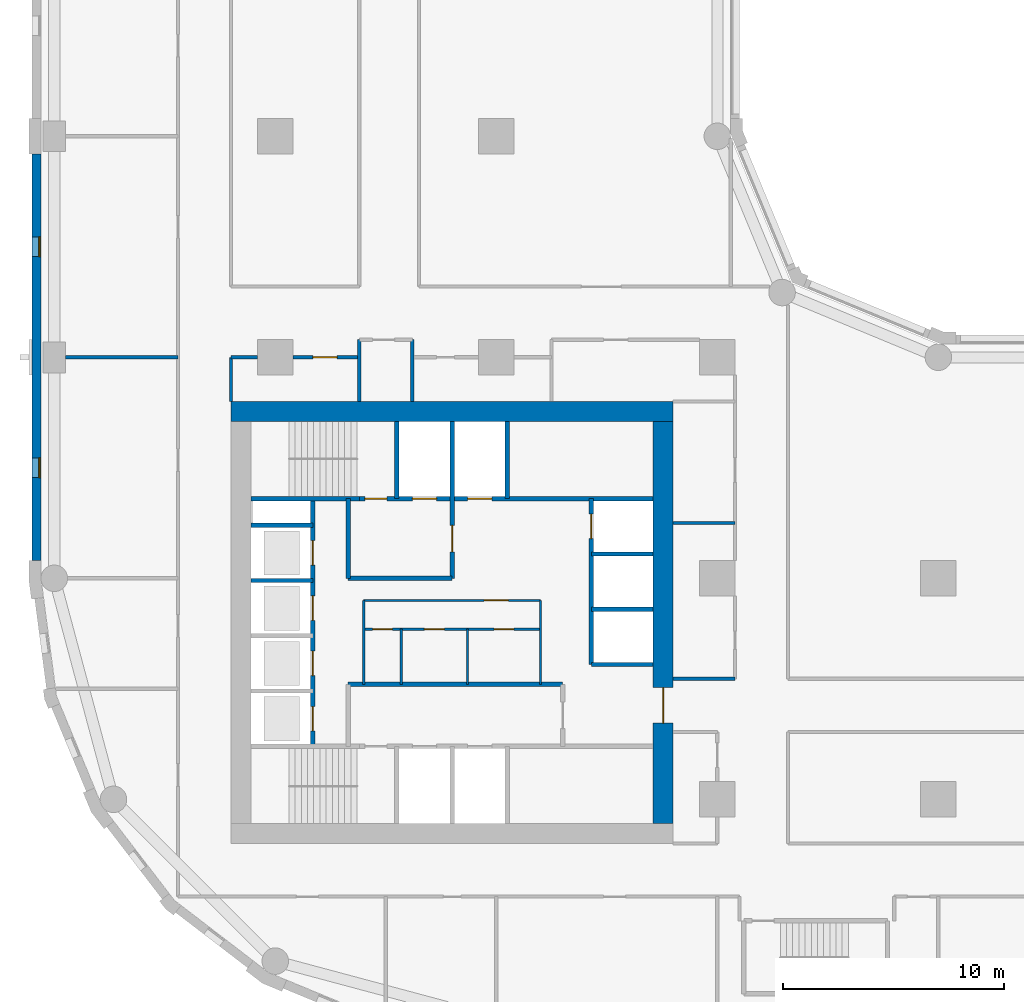
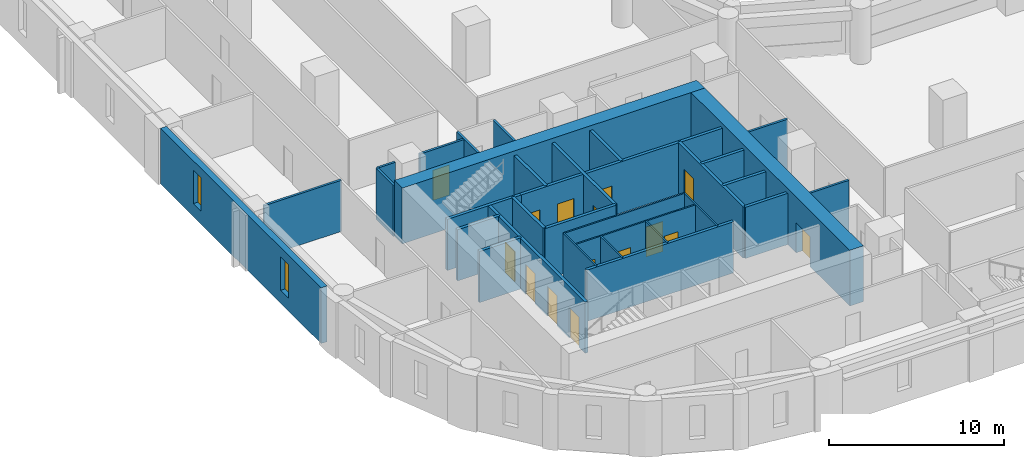
# One storey, part 3 of 10: 32 walls, 15 doors, 2 windows, 17 openings.
"""IFC4 building model written with IfcOpenShell, lengths in metres."""

import ifcopenshell
import ifcopenshell.guid

model = None  # the IFC model being written
_history = None  # IfcOwnerHistory: only IFC2X3 demands one
_inside = {}  # id of a spatial element -> (the spatial element, [elements in it])
_under = {}  # id of a project, library or spatial element -> (it, [spatial elements below it])
_declared = {}  # id of a project -> (the project, [libraries it declares])
_typed = {}  # id of a type object -> (the type object, [elements of that type])
_made_of = {}  # id of a material, layer set ... -> (it, [elements and type objects made of it])


def new_model(schema):
    """Start an empty IFC model of exactly this schema.

    Asked for "IFC4X3", IfcOpenShell would pick the latest addendum, in which some entities
    have other attributes; the version numbers below select the first issue.
    IFC2X3 requires an IfcOwnerHistory on every rooted entity: one is made here for all.
    """
    global model, _history
    if schema == "IFC4X3":
        model = ifcopenshell.file(schema_version=(4, 3, 0, 0))
    else:
        model = ifcopenshell.file(schema=schema)
    _inside.clear()
    _under.clear()
    _declared.clear()
    _typed.clear()
    _made_of.clear()
    _history = None
    if model.schema == "IFC2X3":
        org = make("IfcOrganization", Name="unknown")
        user = make(
            "IfcPersonAndOrganization",
            ThePerson=make("IfcPerson", FamilyName="unknown"),
            TheOrganization=org,
        )
        app = make(
            "IfcApplication",
            ApplicationDeveloper=org,
            Version="unknown",
            ApplicationFullName="unknown",
            ApplicationIdentifier="unknown",
        )
        _history = make(
            "IfcOwnerHistory",
            OwningUser=user,
            OwningApplication=app,
            ChangeAction="ADDED",
            CreationDate=0,
        )
    return model


def make(cls, **values):
    """One entity of the class cls with the attributes given. An attribute that is None is left unset."""
    return model.create_entity(
        cls, **{name: value for name, value in values.items() if value is not None}
    )


def rooted(cls, **values):
    """An entity with a GlobalId (a new one), such as an element, a storey or a relation."""
    return make(cls, GlobalId=ifcopenshell.guid.new(), OwnerHistory=_history, **values)


def si_unit(unit_type, name, prefix=None):
    """IfcSIUnit, for example si_unit("LENGTHUNIT", "METRE", prefix="MILLI")."""
    return make("IfcSIUnit", UnitType=unit_type, Prefix=prefix, Name=name)


def assignment(units):
    """IfcUnitAssignment: the units of a project."""
    return None if units is None else make("IfcUnitAssignment", Units=units)


def point(xyz):
    """IfcCartesianPoint."""
    return None if xyz is None else make("IfcCartesianPoint", Coordinates=xyz)


def direction(xyz):
    """IfcDirection."""
    return None if xyz is None else make("IfcDirection", DirectionRatios=xyz)


def frame(location, z_axis=None, x_axis=None):
    """IfcAxis2Placement3D, a coordinate frame: its origin and axes. An axis left out is left unset."""
    return make(
        "IfcAxis2Placement3D",
        Location=point(location),
        Axis=direction(z_axis),
        RefDirection=direction(x_axis),
    )


def frame_2d(location, x_axis=None):
    """IfcAxis2Placement2D, a coordinate frame in the plane: its origin and x axis."""
    return make(
        "IfcAxis2Placement2D", Location=point(location), RefDirection=direction(x_axis)
    )


def origin():
    """The frame at (0, 0, 0) with its axes left unset."""
    return frame((0.0, 0.0, 0.0))


def place(relative_to, where):
    """IfcLocalPlacement: puts the frame where relative to a parent placement (None: the world)."""
    return make(
        "IfcLocalPlacement", PlacementRelTo=relative_to, RelativePlacement=where
    )


def context(
    kind, dimensions, precision=None, world=None, true_north=None, identifier=None
):
    """IfcGeometricRepresentationContext, for example the 3D "Model" context."""
    return make(
        "IfcGeometricRepresentationContext",
        ContextIdentifier=identifier,
        ContextType=kind,
        CoordinateSpaceDimension=dimensions,
        Precision=precision,
        WorldCoordinateSystem=world,
        TrueNorth=true_north,
    )


def subcontext(parent, identifier, kind, view, scale=None):
    """IfcGeometricRepresentationSubContext, for example "Body" below "Model"."""
    return make(
        "IfcGeometricRepresentationSubContext",
        ContextIdentifier=identifier,
        ContextType=kind,
        ParentContext=parent,
        TargetScale=scale,
        TargetView=view,
    )


def project(units=None, contexts=None):
    """IfcProject with its units and contexts."""
    return rooted(
        "IfcProject",
        Name="project",
        RepresentationContexts=contexts,
        UnitsInContext=assignment(units),
    )


def spatial(cls, under=None, at=None, **own):
    """A site, building, storey or space (cls), placed at a placement, below another one or the project."""
    s = rooted(cls, ObjectPlacement=at, **own)
    if under is not None:
        _under.setdefault(under.id(), (under, []))[1].append(s)
    return s


def profile(cls, at=None, kind="AREA", **sizes):
    """A parametric profile (cls). Its sizes go by their IFC names, for example OverallWidth=200.0."""
    return make(cls, ProfileType=kind, Position=at, **sizes)


def rectangle(**sizes):
    """IfcRectangleProfileDef."""
    return profile("IfcRectangleProfileDef", **sizes)


def extrude(swept, where, along, depth):
    """IfcExtrudedAreaSolid: the profile swept, set in the frame where, extruded along a direction by depth."""
    return make(
        "IfcExtrudedAreaSolid",
        SweptArea=swept,
        Position=where,
        ExtrudedDirection=direction(along),
        Depth=depth,
    )


def shape(context_of_items, identifier, shape_type, items):
    """IfcShapeRepresentation: the items that make up one representation, for example the "Body"."""
    return make(
        "IfcShapeRepresentation",
        ContextOfItems=context_of_items,
        RepresentationIdentifier=identifier,
        RepresentationType=shape_type,
        Items=items,
    )


def material(Name=None, Category=None):
    """IfcMaterial."""
    return make("IfcMaterial", Name=Name, Category=Category)


def layer(
    of_material, thickness, ventilated=None, Name=None, Category=None, Priority=None
):
    """IfcMaterialLayer: one layer of a wall or slab, of a material (None: an air gap)."""
    return make(
        "IfcMaterialLayer",
        Material=of_material,
        LayerThickness=thickness,
        IsVentilated=ventilated,
        Name=Name,
        Category=Category,
        Priority=Priority,
    )


def layer_set(layers, Name=None):
    """IfcMaterialLayerSet."""
    return make("IfcMaterialLayerSet", MaterialLayers=layers, LayerSetName=Name)


def made_of(thing, what):
    """Note that an element or type object is made of a material, layer set ...; save() writes the relation."""
    if what is not None:
        _made_of.setdefault(what.id(), (what, []))[1].append(thing)
    return thing


def type_object(cls, material=None, **own):
    """A type object (cls), such as IfcWallType, which elements share."""
    return made_of(rooted(cls, **own), material)


def element(
    cls,
    number,
    at=None,
    inside=None,
    cuts=None,
    type_object=None,
    material=None,
    context=None,
    identifier="Body",
    shape_type=None,
    held_by="IfcProductDefinitionShape",
    body=None,
    shapes=None,
    **own,
):
    """One element of the class cls, such as IfcWall. Its Tag is "e" and its number.

    at: its placement. inside: the storey or other place that contains it. cuts: it is an
    opening in that element (IfcRelVoidsElement). A single representation is given by context,
    identifier, shape_type and body (its items); several are given by shapes. held_by: the class
    of the entity that holds the representations. save() writes the other relations.
    """
    e = rooted(cls, Tag="e%d" % number, ObjectPlacement=at, **own)
    if body is not None:
        shapes = [shape(context, identifier, shape_type, body)]
    if shapes is not None:
        e.Representation = make(held_by, Representations=shapes)
    if inside is not None:
        _inside.setdefault(inside.id(), (inside, []))[1].append(e)
    if cuts is not None:
        rooted(
            "IfcRelVoidsElement", RelatingBuildingElement=cuts, RelatedOpeningElement=e
        )
    if type_object is not None:
        _typed.setdefault(type_object.id(), (type_object, []))[1].append(e)
    return made_of(e, material)


def fill(opening, filler):
    """IfcRelFillsElement: the door or window that sits in an opening."""
    return rooted(
        "IfcRelFillsElement",
        RelatingOpeningElement=opening,
        RelatedBuildingElement=filler,
    )


def aggregate(whole, parts):
    """IfcRelAggregates: a whole, such as a stair, and the parts it consists of."""
    return rooted("IfcRelAggregates", RelatingObject=whole, RelatedObjects=parts)


def save(model, path):
    """Write the relations noted so far, then the file.

    IfcRelAggregates (storeys below a building ...), IfcRelContainedInSpatialStructure (elements
    in a storey), IfcRelDefinesByType, IfcRelAssociatesMaterial and IfcRelDeclares: one each for
    every whole, place, type object, material and project.
    """
    for whole, parts in _under.values():
        aggregate(whole, parts)
    for where, things in _inside.values():
        rooted(
            "IfcRelContainedInSpatialStructure",
            RelatedElements=things,
            RelatingStructure=where,
        )
    for kind, things in _typed.values():
        rooted("IfcRelDefinesByType", RelatedObjects=things, RelatingType=kind)
    for what, things in _made_of.values():
        rooted("IfcRelAssociatesMaterial", RelatedObjects=things, RelatingMaterial=what)
    for by, libraries in _declared.values():
        rooted("IfcRelDeclares", RelatingContext=by, RelatedDefinitions=libraries)
    model.write(path)


model = new_model("IFC4")

# Units and contexts
model_context = context("Model", 3, precision=1e-05, world=origin(), true_north=direction((0.0, 1.0)))
body_context = subcontext(model_context, "Body", "Model", "MODEL_VIEW")
ifc_project = project(units=[si_unit("LENGTHUNIT", "METRE"), si_unit("AREAUNIT", "SQUARE_METRE"), si_unit("VOLUMEUNIT", "CUBIC_METRE"), si_unit("PLANEANGLEUNIT", "RADIAN"), si_unit("MASSUNIT", "GRAM", prefix="KILO")], contexts=[model_context])

# Site, building, storey
site_placement = place(None, origin())
site = spatial("IfcSite", under=ifc_project, at=site_placement, CompositionType="ELEMENT")
building_placement = place(site_placement, origin())
building = spatial("IfcBuilding", under=site, at=building_placement, Name="Qaws Garden Tower", CompositionType="ELEMENT")
storey_placement = place(building_placement, frame((0.0, 0.0, 51.0)))
storey = spatial("IfcBuildingStorey", under=building, at=storey_placement, Name="L12", CompositionType="ELEMENT", Elevation=51.0)

# Wall, openings, windows
ifc_material_1 = material(Name="Clay facing brick masonry", Category="masonry")
ifc_layer_1 = layer(ifc_material_1, 0.39990234375)
ifc_layer_set_1 = layer_set([ifc_layer_1], Name="Clay facing brick masonry")
wall_type_1 = type_object("IfcWallType", Name="Brick infill wall 400", PredefinedType="SOLIDWALL", material=ifc_layer_set_1)
wall_1_placement = place(storey_placement, frame((-0.800048828125, 39.199951171875, 0.0), z_axis=(0.0, 0.0, 1.0), x_axis=(0.0, -1.0, 0.0)))
wall_1 = element("IfcWall", 1, at=wall_1_placement, inside=storey, type_object=wall_type_1, Name="E-L12-infill-25", PredefinedType="SOLIDWALL", context=body_context, shape_type="SweptSolid", body=[
    extrude(rectangle(XDim=18.39990234375, YDim=0.39990234375, at=frame_2d((9.199951171875, 0.0))), origin(), (0.0, 0.0, 1.0), 3.89990234375),
])
opening_1_placement = place(wall_1_placement, frame((3.75, 0.0, 0.89990234375)))
opening_1 = element("IfcOpeningElement", 2, at=opening_1_placement, cuts=wall_1, Name="Opening W09", PredefinedType="OPENING", context=body_context, shape_type="SweptSolid", body=[
    extrude(rectangle(XDim=0.89990234375, YDim=2.35009765625, at=frame_2d((0.449951171875, 1.175048828125))), frame((0.0, 0.2099609375, 0.0), z_axis=(0.0, -1.0, 0.0), x_axis=(1.0, 0.0, 0.0)), (0.0, 0.0, 1.0), 0.419921875),
])
opening_2_placement = place(wall_1_placement, frame((13.75, 0.0, 0.89990234375)))
opening_2 = element("IfcOpeningElement", 3, at=opening_2_placement, cuts=wall_1, Name="Opening W09", PredefinedType="OPENING", context=body_context, shape_type="SweptSolid", body=[
    extrude(rectangle(XDim=0.89990234375, YDim=2.35009765625, at=frame_2d((0.449951171875, 1.175048828125))), frame((0.0, 0.2099609375, 0.0), z_axis=(0.0, -1.0, 0.0), x_axis=(1.0, 0.0, 0.0)), (0.0, 0.0, 1.0), 0.419921875),
])
ifc_material_2 = material(Name="Aluminium framed window, clear glazing", Category="aluminium")
window_type = type_object("IfcWindowType", Name="Slit window 900 x 2350", PartitioningType="SINGLE_PANEL", PredefinedType="WINDOW", material=ifc_material_2)
window_1_placement = place(opening_1_placement, origin())
window_1 = element("IfcWindow", 4, at=window_1_placement, inside=storey, type_object=window_type, Name="E-L12-window-25-0", OverallHeight=2.35009765625, OverallWidth=0.89990234375, PartitioningType="SINGLE_PANEL", PredefinedType="WINDOW", context=body_context, shape_type="SweptSolid", body=[
    extrude(rectangle(XDim=0.89990234375, YDim=2.35009765625, at=frame_2d((0.449951171875, 1.175048828125))), frame((0.0, 0.159912109375, 0.0), z_axis=(0.0, -1.0, 0.0), x_axis=(1.0, 0.0, 0.0)), (0.0, 0.0, 1.0), 0.06005859375),
])
fill(opening_1, window_1)
window_2_placement = place(opening_2_placement, origin())
window_2 = element("IfcWindow", 5, at=window_2_placement, inside=storey, type_object=window_type, Name="E-L12-window-26-0", OverallHeight=2.35009765625, OverallWidth=0.89990234375, PartitioningType="SINGLE_PANEL", PredefinedType="WINDOW", context=body_context, shape_type="SweptSolid", body=[
    extrude(rectangle(XDim=0.89990234375, YDim=2.35009765625, at=frame_2d((0.449951171875, 1.175048828125))), frame((0.0, 0.159912109375, 0.0), z_axis=(0.0, -1.0, 0.0), x_axis=(1.0, 0.0, 0.0)), (0.0, 0.0, 1.0), 0.06005859375),
])
fill(opening_2, window_2)

# Wall, openings, doors
ifc_material_3 = material(Name="Plasterboard")
ifc_layer_2 = layer(ifc_material_3, 0.10009765625)
ifc_layer_set_2 = layer_set([ifc_layer_2], Name="Plasterboard")
wall_type_2 = type_object("IfcWallType", Name="Core partition 100", PredefinedType="PARTITIONING", material=ifc_layer_set_2)
wall_2_placement = place(storey_placement, frame((14.0, 17.699951171875, 0.0), z_axis=(0.0, 0.0, 1.0), x_axis=(1.0, 0.0, 0.0)))
wall_2 = element("IfcWall", 6, at=wall_2_placement, inside=storey, type_object=wall_type_2, Name="Core partition", PredefinedType="PARTITIONING", context=body_context, shape_type="SweptSolid", body=[
    extrude(rectangle(XDim=8.0, YDim=0.10009765625, at=frame_2d((4.0, 0.0))), origin(), (0.0, 0.0, 1.0), 3.580078125),
])
opening_3_placement = place(wall_2_placement, frame((0.39990234375, 0.0, 0.0)))
opening_3 = element("IfcOpeningElement", 7, at=opening_3_placement, cuts=wall_2, Name="Opening WD18", PredefinedType="OPENING", context=body_context, shape_type="SweptSolid", body=[
    extrude(rectangle(XDim=0.89990234375, YDim=2.10009765625, at=frame_2d((0.449951171875, 1.050048828125))), frame((0.0, 0.06005859375, 0.0), z_axis=(0.0, -1.0, 0.0), x_axis=(1.0, 0.0, 0.0)), (0.0, 0.0, 1.0), 0.1201171875),
])
opening_4_placement = place(wall_2_placement, frame((2.75, 0.0, 0.0)))
opening_4 = element("IfcOpeningElement", 8, at=opening_4_placement, cuts=wall_2, Name="Opening WD19", PredefinedType="OPENING", context=body_context, shape_type="SweptSolid", body=[
    extrude(rectangle(XDim=0.89990234375, YDim=2.10009765625, at=frame_2d((0.449951171875, 1.050048828125))), frame((0.0, 0.06005859375, 0.0), z_axis=(0.0, -1.0, 0.0), x_axis=(1.0, 0.0, 0.0)), (0.0, 0.0, 1.0), 0.1201171875),
])
opening_5_placement = place(wall_2_placement, frame((5.89990234375, 0.0, 0.0)))
opening_5 = element("IfcOpeningElement", 9, at=opening_5_placement, cuts=wall_2, Name="Opening WD20", PredefinedType="OPENING", context=body_context, shape_type="SweptSolid", body=[
    extrude(rectangle(XDim=0.89990234375, YDim=2.10009765625, at=frame_2d((0.449951171875, 1.050048828125))), frame((0.0, 0.06005859375, 0.0), z_axis=(0.0, -1.0, 0.0), x_axis=(1.0, 0.0, 0.0)), (0.0, 0.0, 1.0), 0.1201171875),
])
ifc_material_4 = material(Name="Timber", Category="wood")
door_type_1 = type_object("IfcDoorType", Name="WC door 900x2100", OperationType="SINGLE_SWING_LEFT", PredefinedType="DOOR", material=ifc_material_4)
door_1_placement = place(opening_3_placement, frame((0.89990234375, 0.0, 0.0), z_axis=(0.0, 0.0, 1.0), x_axis=(-1.0, 0.0, 0.0)))
door_1 = element("IfcDoor", 10, at=door_1_placement, inside=storey, type_object=door_type_1, Name="Accessible WC door", OperationType="SINGLE_SWING_LEFT", OverallHeight=2.10009765625, OverallWidth=0.89990234375, PredefinedType="DOOR", context=body_context, shape_type="SweptSolid", body=[
    extrude(rectangle(XDim=0.89990234375, YDim=2.10009765625, at=frame_2d((0.449951171875, 1.050048828125))), frame((0.0, 0.02490234375, 0.0), z_axis=(0.0, -1.0, 0.0), x_axis=(1.0, 0.0, 0.0)), (0.0, 0.0, 1.0), 0.050048828125),
])
fill(opening_3, door_1)
door_2_placement = place(opening_4_placement, frame((0.89990234375, 0.0, 0.0), z_axis=(0.0, 0.0, 1.0), x_axis=(-1.0, 0.0, 0.0)))
door_2 = element("IfcDoor", 11, at=door_2_placement, inside=storey, type_object=door_type_1, Name="Men's WC door", OperationType="SINGLE_SWING_LEFT", OverallHeight=2.10009765625, OverallWidth=0.89990234375, PredefinedType="DOOR", context=body_context, shape_type="SweptSolid", body=[
    extrude(rectangle(XDim=0.89990234375, YDim=2.10009765625, at=frame_2d((0.449951171875, 1.050048828125))), frame((0.0, 0.02490234375, 0.0), z_axis=(0.0, -1.0, 0.0), x_axis=(1.0, 0.0, 0.0)), (0.0, 0.0, 1.0), 0.050048828125),
])
fill(opening_4, door_2)
door_3_placement = place(opening_5_placement, frame((0.89990234375, 0.0, 0.0), z_axis=(0.0, 0.0, 1.0), x_axis=(-1.0, 0.0, 0.0)))
door_3 = element("IfcDoor", 12, at=door_3_placement, inside=storey, type_object=door_type_1, Name="Women's WC door", OperationType="SINGLE_SWING_LEFT", OverallHeight=2.10009765625, OverallWidth=0.89990234375, PredefinedType="DOOR", context=body_context, shape_type="SweptSolid", body=[
    extrude(rectangle(XDim=0.89990234375, YDim=2.10009765625, at=frame_2d((0.449951171875, 1.050048828125))), frame((0.0, 0.02490234375, 0.0), z_axis=(0.0, -1.0, 0.0), x_axis=(1.0, 0.0, 0.0)), (0.0, 0.0, 1.0), 0.050048828125),
])
fill(opening_5, door_3)

# Wall, opening, door
wall_3_placement = place(storey_placement, frame((14.0, 19.0, 0.0), z_axis=(0.0, 0.0, 1.0), x_axis=(1.0, 0.0, 0.0)))
wall_3 = element("IfcWall", 13, at=wall_3_placement, inside=storey, type_object=wall_type_2, Name="Core partition", PredefinedType="PARTITIONING", context=body_context, shape_type="SweptSolid", body=[
    extrude(rectangle(XDim=8.0, YDim=0.10009765625, at=frame_2d((4.0, 0.0))), origin(), (0.0, 0.0, 1.0), 3.580078125),
])
opening_6_placement = place(wall_3_placement, frame((5.449951171875, 0.0, 0.0)))
opening_6 = element("IfcOpeningElement", 14, at=opening_6_placement, cuts=wall_3, Name="Opening WL17", PredefinedType="OPENING", context=body_context, shape_type="SweptSolid", body=[
    extrude(rectangle(XDim=1.10009765625, YDim=2.10009765625, at=frame_2d((0.550048828125, 1.050048828125))), frame((0.0, 0.06005859375, 0.0), z_axis=(0.0, -1.0, 0.0), x_axis=(1.0, 0.0, 0.0)), (0.0, 0.0, 1.0), 0.1201171875),
])
ifc_material_5 = material(Name="Timber", Category="wood")
door_type_2 = type_object("IfcDoorType", Name="WC lobby door 1100x2100", OperationType="SINGLE_SWING_LEFT", PredefinedType="DOOR", material=ifc_material_5)
door_4_placement = place(opening_6_placement, frame((1.10009765625, 0.0, 0.0), z_axis=(0.0, 0.0, 1.0), x_axis=(-1.0, 0.0, 0.0)))
door_4 = element("IfcDoor", 15, at=door_4_placement, inside=storey, type_object=door_type_2, Name="WC lobby door", OperationType="SINGLE_SWING_LEFT", OverallHeight=2.10009765625, OverallWidth=1.10009765625, PredefinedType="DOOR", context=body_context, shape_type="SweptSolid", body=[
    extrude(rectangle(XDim=1.10009765625, YDim=2.10009765625, at=frame_2d((0.550048828125, 1.050048828125))), frame((0.0, 0.02490234375, 0.0), z_axis=(0.0, -1.0, 0.0), x_axis=(1.0, 0.0, 0.0)), (0.0, 0.0, 1.0), 0.050048828125),
])
fill(opening_6, door_4)

# Walls
wall_4_placement = place(storey_placement, frame((14.0, 15.199951171875, 0.0), z_axis=(0.0, 0.0, 1.0), x_axis=(0.0, 1.0, 0.0)))
element("IfcWall", 16, at=wall_4_placement, inside=storey, type_object=wall_type_2, Name="Core partition", PredefinedType="PARTITIONING", context=body_context, shape_type="SweptSolid", body=[
    extrude(rectangle(XDim=3.800048828125, YDim=0.10009765625, at=frame_2d((1.89990234375, 0.0))), origin(), (0.0, 0.0, 1.0), 3.580078125),
])
for number, where, z_axis, x_axis, name in (
    (17, (15.699951171875, 15.199951171875, 0.0), (0.0, 0.0, 1.0), (0.0, 1.0, 0.0), "Core partition"),
    (18, (18.699951171875, 15.199951171875, 0.0), (0.0, 0.0, 1.0), (0.0, 1.0, 0.0), "Core partition"),
):
    element("IfcWall", number, at=place(storey_placement, frame(where, z_axis=z_axis, x_axis=x_axis)), inside=storey, type_object=wall_type_2, Name=name, PredefinedType="PARTITIONING", context=body_context, shape_type="SweptSolid", body=[
        extrude(rectangle(XDim=2.5, YDim=0.10009765625, at=frame_2d((1.25, 0.0))), origin(), (0.0, 0.0, 1.0), 3.580078125),
    ])
wall_5_placement = place(storey_placement, frame((22.0, 15.199951171875, 0.0), z_axis=(0.0, 0.0, 1.0), x_axis=(0.0, 1.0, 0.0)))
element("IfcWall", 19, at=wall_5_placement, inside=storey, type_object=wall_type_2, Name="Core partition", PredefinedType="PARTITIONING", context=body_context, shape_type="SweptSolid", body=[
    extrude(rectangle(XDim=3.800048828125, YDim=0.10009765625, at=frame_2d((1.89990234375, 0.0))), origin(), (0.0, 0.0, 1.0), 3.580078125),
])
ifc_material_6 = material(Name="Concrete C80", Category="concrete")
ifc_layer_3 = layer(ifc_material_6, 0.199951171875)
ifc_layer_set_3 = layer_set([ifc_layer_3], Name="Concrete C80")
wall_type_3 = type_object("IfcWallType", Name="Core shaft wall 200 C80", PredefinedType="SHEAR", material=ifc_layer_set_3)
wall_6_placement = place(storey_placement, frame((13.300048828125, 15.199951171875, 0.0), z_axis=(0.0, 0.0, 1.0), x_axis=(1.0, 0.0, 0.0)))
element("IfcWall", 20, at=wall_6_placement, inside=storey, type_object=wall_type_3, Name="Shaft wall", PredefinedType="SHEAR", context=body_context, shape_type="SweptSolid", body=[
    extrude(rectangle(XDim=9.699951171875, YDim=0.199951171875, at=frame_2d((4.85009765625, 0.0))), origin(), (0.0, 0.0, 1.0), 3.580078125),
])
for number, where, z_axis, x_axis, name in (
    (21, (24.300048828125, 16.10009765625, 0.0), (0.0, 0.0, 1.0), (1.0, 0.0, 0.0), "Shaft wall"),
    (22, (24.300048828125, 18.60009765625, 0.0), (0.0, 0.0, 1.0), (1.0, 0.0, 0.0), "Shaft wall"),
    (23, (8.89990234375, 19.89990234375, 0.0), (0.0, 0.0, 1.0), (1.0, 0.0, 0.0), "Shaft wall"),
):
    element("IfcWall", number, at=place(storey_placement, frame(where, z_axis=z_axis, x_axis=x_axis)), inside=storey, type_object=wall_type_3, Name=name, PredefinedType="SHEAR", context=body_context, shape_type="SweptSolid", body=[
        extrude(rectangle(XDim=2.800048828125, YDim=0.199951171875, at=frame_2d((1.39990234375, 0.0))), origin(), (0.0, 0.0, 1.0), 3.580078125),
    ])
wall_7_placement = place(storey_placement, frame((13.300048828125, 20.0, 0.0), z_axis=(0.0, 0.0, 1.0), x_axis=(1.0, 0.0, 0.0)))
element("IfcWall", 24, at=wall_7_placement, inside=storey, type_object=wall_type_3, Name="Shaft wall", PredefinedType="SHEAR", context=body_context, shape_type="SweptSolid", body=[
    extrude(rectangle(XDim=4.699951171875, YDim=0.199951171875, at=frame_2d((2.35009765625, 0.0))), origin(), (0.0, 0.0, 1.0), 3.580078125),
])
for number, where, z_axis, x_axis, name in (
    (25, (24.300048828125, 21.10009765625, 0.0), (0.0, 0.0, 1.0), (1.0, 0.0, 0.0), "Shaft wall"),
    (26, (8.89990234375, 22.39990234375, 0.0), (0.0, 0.0, 1.0), (1.0, 0.0, 0.0), "Shaft wall"),
):
    element("IfcWall", number, at=place(storey_placement, frame(where, z_axis=z_axis, x_axis=x_axis)), inside=storey, type_object=wall_type_3, Name=name, PredefinedType="SHEAR", context=body_context, shape_type="SweptSolid", body=[
        extrude(rectangle(XDim=2.800048828125, YDim=0.199951171875, at=frame_2d((1.39990234375, 0.0))), origin(), (0.0, 0.0, 1.0), 3.580078125),
    ])
wall_8_placement = place(storey_placement, frame((8.89990234375, 23.60009765625, 0.0), z_axis=(0.0, 0.0, 1.0), x_axis=(1.0, 0.0, 0.0)))
element("IfcWall", 27, at=wall_8_placement, inside=storey, type_object=wall_type_3, Name="Shaft wall", PredefinedType="SHEAR", context=body_context, shape_type="SweptSolid", body=[
    extrude(rectangle(XDim=4.900146484375, YDim=0.199951171875, at=frame_2d((2.4501953125, 0.0))), origin(), (0.0, 0.0, 1.0), 3.580078125),
])

# Wall, openings, doors
wall_9_placement = place(storey_placement, frame((13.800048828125, 23.60009765625, 0.0), z_axis=(0.0, 0.0, 1.0), x_axis=(1.0, 0.0, 0.0)))
wall_9 = element("IfcWall", 28, at=wall_9_placement, inside=storey, type_object=wall_type_3, Name="Shaft wall", PredefinedType="SHEAR", context=body_context, shape_type="SweptSolid", body=[
    extrude(rectangle(XDim=13.300048828125, YDim=0.199951171875, at=frame_2d((6.64990234375, 0.0))), origin(), (0.0, 0.0, 1.0), 3.580078125),
])
opening_7_placement = place(wall_9_placement, frame((2.39990234375, 0.0, 0.0)))
opening_7 = element("IfcOpeningElement", 29, at=opening_7_placement, cuts=wall_9, Name="Opening LD08", PredefinedType="OPENING", context=body_context, shape_type="SweptSolid", body=[
    extrude(rectangle(XDim=1.10009765625, YDim=2.10009765625, at=frame_2d((0.550048828125, 1.050048828125))), frame((0.0, 0.10986328125, 0.0), z_axis=(0.0, -1.0, 0.0), x_axis=(1.0, 0.0, 0.0)), (0.0, 0.0, 1.0), 0.219970703125),
])
opening_8_placement = place(wall_9_placement, frame((4.89990234375, 0.0, 0.0)))
opening_8 = element("IfcOpeningElement", 30, at=opening_8_placement, cuts=wall_9, Name="Opening LD09", PredefinedType="OPENING", context=body_context, shape_type="SweptSolid", body=[
    extrude(rectangle(XDim=1.10009765625, YDim=2.10009765625, at=frame_2d((0.550048828125, 1.050048828125))), frame((0.0, 0.10986328125, 0.0), z_axis=(0.0, -1.0, 0.0), x_axis=(1.0, 0.0, 0.0)), (0.0, 0.0, 1.0), 0.219970703125),
])
opening_9_placement = place(wall_9_placement, frame((0.25, 0.0, 0.0)))
opening_9 = element("IfcOpeningElement", 31, at=opening_9_placement, cuts=wall_9, Name="Opening SD11", PredefinedType="OPENING", context=body_context, shape_type="SweptSolid", body=[
    extrude(rectangle(XDim=1.0, YDim=2.10009765625, at=frame_2d((0.5, 1.050048828125))), frame((0.0, 0.10986328125, 0.0), z_axis=(0.0, -1.0, 0.0), x_axis=(1.0, 0.0, 0.0)), (0.0, 0.0, 1.0), 0.219970703125),
])
ifc_material_7 = material(Name="Steel S235", Category="steel")
door_type_3 = type_object("IfcDoorType", Name="Landing door 1100x2100", OperationType="DOUBLE_DOOR_SLIDING", PredefinedType="DOOR", material=ifc_material_7)
door_5_placement = place(opening_7_placement, origin())
door_5 = element("IfcDoor", 32, at=door_5_placement, inside=storey, type_object=door_type_3, Name="Lift FF3 landing door", OperationType="DOUBLE_DOOR_SLIDING", OverallHeight=2.10009765625, OverallWidth=1.10009765625, PredefinedType="DOOR", context=body_context, shape_type="SweptSolid", body=[
    extrude(rectangle(XDim=1.10009765625, YDim=2.10009765625, at=frame_2d((0.550048828125, 1.050048828125))), frame((0.0, 0.02490234375, 0.0), z_axis=(0.0, -1.0, 0.0), x_axis=(1.0, 0.0, 0.0)), (0.0, 0.0, 1.0), 0.050048828125),
])
fill(opening_7, door_5)
door_6_placement = place(opening_8_placement, origin())
door_6 = element("IfcDoor", 33, at=door_6_placement, inside=storey, type_object=door_type_3, Name="Lift SV2 landing door", OperationType="DOUBLE_DOOR_SLIDING", OverallHeight=2.10009765625, OverallWidth=1.10009765625, PredefinedType="DOOR", context=body_context, shape_type="SweptSolid", body=[
    extrude(rectangle(XDim=1.10009765625, YDim=2.10009765625, at=frame_2d((0.550048828125, 1.050048828125))), frame((0.0, 0.02490234375, 0.0), z_axis=(0.0, -1.0, 0.0), x_axis=(1.0, 0.0, 0.0)), (0.0, 0.0, 1.0), 0.050048828125),
])
fill(opening_8, door_6)
ifc_material_8 = material(Name="Steel S235", Category="steel")
door_type_4 = type_object("IfcDoorType", Name="Stair door 1000x2100", OperationType="SINGLE_SWING_RIGHT", PredefinedType="DOOR", material=ifc_material_8)
door_7_placement = place(opening_9_placement, origin())
door_7 = element("IfcDoor", 34, at=door_7_placement, inside=storey, type_object=door_type_4, Name="Stair 4 door", OperationType="SINGLE_SWING_RIGHT", OverallHeight=2.10009765625, OverallWidth=1.0, PredefinedType="DOOR", context=body_context, shape_type="SweptSolid", body=[
    extrude(rectangle(XDim=1.0, YDim=2.10009765625, at=frame_2d((0.5, 1.050048828125))), frame((0.0, 0.02490234375, 0.0), z_axis=(0.0, -1.0, 0.0), x_axis=(1.0, 0.0, 0.0)), (0.0, 0.0, 1.0), 0.050048828125),
])
fill(opening_9, door_7)

wall_10_placement = place(storey_placement, frame((11.699951171875, 12.39990234375, 0.0), z_axis=(0.0, 0.0, 1.0), x_axis=(0.0, 1.0, 0.0)))
wall_10 = element("IfcWall", 35, at=wall_10_placement, inside=storey, type_object=wall_type_3, Name="Shaft wall", PredefinedType="SHEAR", context=body_context, shape_type="SweptSolid", body=[
    extrude(rectangle(XDim=11.2001953125, YDim=0.199951171875, at=frame_2d((5.60009765625, 0.0))), origin(), (0.0, 0.0, 1.0), 3.580078125),
])
opening_10_placement = place(wall_10_placement, frame((0.699951171875, 0.0, 0.0)))
opening_10 = element("IfcOpeningElement", 36, at=opening_10_placement, cuts=wall_10, Name="Opening LD01", PredefinedType="OPENING", context=body_context, shape_type="SweptSolid", body=[
    extrude(rectangle(XDim=1.10009765625, YDim=2.10009765625, at=frame_2d((0.550048828125, 1.050048828125))), frame((0.0, 0.10986328125, 0.0), z_axis=(0.0, -1.0, 0.0), x_axis=(1.0, 0.0, 0.0)), (0.0, 0.0, 1.0), 0.219970703125),
])
opening_11_placement = place(wall_10_placement, frame((3.199951171875, 0.0, 0.0)))
opening_11 = element("IfcOpeningElement", 37, at=opening_11_placement, cuts=wall_10, Name="Opening LD02", PredefinedType="OPENING", context=body_context, shape_type="SweptSolid", body=[
    extrude(rectangle(XDim=1.10009765625, YDim=2.10009765625, at=frame_2d((0.550048828125, 1.050048828125))), frame((0.0, 0.10986328125, 0.0), z_axis=(0.0, -1.0, 0.0), x_axis=(1.0, 0.0, 0.0)), (0.0, 0.0, 1.0), 0.219970703125),
])
opening_12_placement = place(wall_10_placement, frame((5.699951171875, 0.0, 0.0)))
opening_12 = element("IfcOpeningElement", 38, at=opening_12_placement, cuts=wall_10, Name="Opening LD03", PredefinedType="OPENING", context=body_context, shape_type="SweptSolid", body=[
    extrude(rectangle(XDim=1.10009765625, YDim=2.10009765625, at=frame_2d((0.550048828125, 1.050048828125))), frame((0.0, 0.10986328125, 0.0), z_axis=(0.0, -1.0, 0.0), x_axis=(1.0, 0.0, 0.0)), (0.0, 0.0, 1.0), 0.219970703125),
])
opening_13_placement = place(wall_10_placement, frame((8.199951171875, 0.0, 0.0)))
opening_13 = element("IfcOpeningElement", 39, at=opening_13_placement, cuts=wall_10, Name="Opening LD04", PredefinedType="OPENING", context=body_context, shape_type="SweptSolid", body=[
    extrude(rectangle(XDim=1.10009765625, YDim=2.10009765625, at=frame_2d((0.550048828125, 1.050048828125))), frame((0.0, 0.10986328125, 0.0), z_axis=(0.0, -1.0, 0.0), x_axis=(1.0, 0.0, 0.0)), (0.0, 0.0, 1.0), 0.219970703125),
])
door_8_placement = place(opening_10_placement, origin())
door_8 = element("IfcDoor", 40, at=door_8_placement, inside=storey, type_object=door_type_3, Name="Lift W1 landing door", OperationType="DOUBLE_DOOR_SLIDING", OverallHeight=2.10009765625, OverallWidth=1.10009765625, PredefinedType="DOOR", context=body_context, shape_type="SweptSolid", body=[
    extrude(rectangle(XDim=1.10009765625, YDim=2.10009765625, at=frame_2d((0.550048828125, 1.050048828125))), frame((0.0, 0.02490234375, 0.0), z_axis=(0.0, -1.0, 0.0), x_axis=(1.0, 0.0, 0.0)), (0.0, 0.0, 1.0), 0.050048828125),
])
fill(opening_10, door_8)
door_9_placement = place(opening_11_placement, origin())
door_9 = element("IfcDoor", 41, at=door_9_placement, inside=storey, type_object=door_type_3, Name="Lift W2 landing door", OperationType="DOUBLE_DOOR_SLIDING", OverallHeight=2.10009765625, OverallWidth=1.10009765625, PredefinedType="DOOR", context=body_context, shape_type="SweptSolid", body=[
    extrude(rectangle(XDim=1.10009765625, YDim=2.10009765625, at=frame_2d((0.550048828125, 1.050048828125))), frame((0.0, 0.02490234375, 0.0), z_axis=(0.0, -1.0, 0.0), x_axis=(1.0, 0.0, 0.0)), (0.0, 0.0, 1.0), 0.050048828125),
])
fill(opening_11, door_9)
door_10_placement = place(opening_12_placement, origin())
door_10 = element("IfcDoor", 42, at=door_10_placement, inside=storey, type_object=door_type_3, Name="Lift W3 landing door", OperationType="DOUBLE_DOOR_SLIDING", OverallHeight=2.10009765625, OverallWidth=1.10009765625, PredefinedType="DOOR", context=body_context, shape_type="SweptSolid", body=[
    extrude(rectangle(XDim=1.10009765625, YDim=2.10009765625, at=frame_2d((0.550048828125, 1.050048828125))), frame((0.0, 0.02490234375, 0.0), z_axis=(0.0, -1.0, 0.0), x_axis=(1.0, 0.0, 0.0)), (0.0, 0.0, 1.0), 0.050048828125),
])
fill(opening_12, door_10)
door_11_placement = place(opening_13_placement, origin())
door_11 = element("IfcDoor", 43, at=door_11_placement, inside=storey, type_object=door_type_3, Name="Lift W4 landing door", OperationType="DOUBLE_DOOR_SLIDING", OverallHeight=2.10009765625, OverallWidth=1.10009765625, PredefinedType="DOOR", context=body_context, shape_type="SweptSolid", body=[
    extrude(rectangle(XDim=1.10009765625, YDim=2.10009765625, at=frame_2d((0.550048828125, 1.050048828125))), frame((0.0, 0.02490234375, 0.0), z_axis=(0.0, -1.0, 0.0), x_axis=(1.0, 0.0, 0.0)), (0.0, 0.0, 1.0), 0.050048828125),
])
fill(opening_13, door_11)

# Walls
wall_11_placement = place(storey_placement, frame((13.300048828125, 20.0, 0.0), z_axis=(0.0, 0.0, 1.0), x_axis=(0.0, 1.0, 0.0)))
element("IfcWall", 44, at=wall_11_placement, inside=storey, type_object=wall_type_3, Name="Shaft wall", PredefinedType="SHEAR", context=body_context, shape_type="SweptSolid", body=[
    extrude(rectangle(XDim=3.60009765625, YDim=0.199951171875, at=frame_2d((1.800048828125, 0.0))), origin(), (0.0, 0.0, 1.0), 3.580078125),
])
wall_12_placement = place(storey_placement, frame((15.5, 23.60009765625, 0.0), z_axis=(0.0, 0.0, 1.0), x_axis=(0.0, 1.0, 0.0)))
element("IfcWall", 45, at=wall_12_placement, inside=storey, type_object=wall_type_3, Name="Shaft wall", PredefinedType="SHEAR", context=body_context, shape_type="SweptSolid", body=[
    extrude(rectangle(XDim=3.5, YDim=0.199951171875, at=frame_2d((1.75, 0.0))), origin(), (0.0, 0.0, 1.0), 3.580078125),
])

# Wall, opening, door
wall_13_placement = place(storey_placement, frame((18.0, 20.0, 0.0), z_axis=(0.0, 0.0, 1.0), x_axis=(0.0, 1.0, 0.0)))
wall_13 = element("IfcWall", 46, at=wall_13_placement, inside=storey, type_object=wall_type_3, Name="Shaft wall", PredefinedType="SHEAR", context=body_context, shape_type="SweptSolid", body=[
    extrude(rectangle(XDim=7.10009765625, YDim=0.199951171875, at=frame_2d((3.550048828125, 0.0))), origin(), (0.0, 0.0, 1.0), 3.580078125),
])
opening_14_placement = place(wall_13_placement, frame((1.199951171875, 0.0, 0.0)))
opening_14 = element("IfcOpeningElement", 47, at=opening_14_placement, cuts=wall_13, Name="Opening FD16", PredefinedType="OPENING", context=body_context, shape_type="SweptSolid", body=[
    extrude(rectangle(XDim=1.199951171875, YDim=2.10009765625, at=frame_2d((0.60009765625, 1.050048828125))), frame((0.0, 0.10986328125, 0.0), z_axis=(0.0, -1.0, 0.0), x_axis=(1.0, 0.0, 0.0)), (0.0, 0.0, 1.0), 0.219970703125),
])
ifc_material_9 = material(Name="Steel S235", Category="steel")
door_type_5 = type_object("IfcDoorType", Name="Lobby door 1200x2100", OperationType="DOUBLE_DOOR_SINGLE_SWING", PredefinedType="DOOR", material=ifc_material_9)
door_12_placement = place(opening_14_placement, origin())
door_12 = element("IfcDoor", 48, at=door_12_placement, inside=storey, type_object=door_type_5, Name="Fire-fighting lobby door", OperationType="DOUBLE_DOOR_SINGLE_SWING", OverallHeight=2.10009765625, OverallWidth=1.199951171875, PredefinedType="DOOR", context=body_context, shape_type="SweptSolid", body=[
    extrude(rectangle(XDim=1.199951171875, YDim=2.10009765625, at=frame_2d((0.60009765625, 1.050048828125))), frame((0.0, 0.02490234375, 0.0), z_axis=(0.0, -1.0, 0.0), x_axis=(1.0, 0.0, 0.0)), (0.0, 0.0, 1.0), 0.050048828125),
])
fill(opening_14, door_12)

# Wall
wall_14_placement = place(storey_placement, frame((20.5, 23.60009765625, 0.0), z_axis=(0.0, 0.0, 1.0), x_axis=(0.0, 1.0, 0.0)))
element("IfcWall", 49, at=wall_14_placement, inside=storey, type_object=wall_type_3, Name="Shaft wall", PredefinedType="SHEAR", context=body_context, shape_type="SweptSolid", body=[
    extrude(rectangle(XDim=3.5, YDim=0.199951171875, at=frame_2d((1.75, 0.0))), origin(), (0.0, 0.0, 1.0), 3.580078125),
])

# Wall, opening, door
wall_15_placement = place(storey_placement, frame((24.300048828125, 16.10009765625, 0.0), z_axis=(0.0, 0.0, 1.0), x_axis=(0.0, 1.0, 0.0)))
wall_15 = element("IfcWall", 50, at=wall_15_placement, inside=storey, type_object=wall_type_3, Name="Shaft wall", PredefinedType="SHEAR", context=body_context, shape_type="SweptSolid", body=[
    extrude(rectangle(XDim=7.5, YDim=0.199951171875, at=frame_2d((3.75, 0.0))), origin(), (0.0, 0.0, 1.0), 3.580078125),
])
opening_15_placement = place(wall_15_placement, frame((5.699951171875, 0.0, 0.0)))
opening_15 = element("IfcOpeningElement", 51, at=opening_15_placement, cuts=wall_15, Name="Opening LD05", PredefinedType="OPENING", context=body_context, shape_type="SweptSolid", body=[
    extrude(rectangle(XDim=1.10009765625, YDim=2.10009765625, at=frame_2d((0.550048828125, 1.050048828125))), frame((0.0, 0.10986328125, 0.0), z_axis=(0.0, -1.0, 0.0), x_axis=(1.0, 0.0, 0.0)), (0.0, 0.0, 1.0), 0.219970703125),
])
door_13_placement = place(opening_15_placement, origin())
door_13 = element("IfcDoor", 52, at=door_13_placement, inside=storey, type_object=door_type_3, Name="Lift E3 landing door", OperationType="DOUBLE_DOOR_SLIDING", OverallHeight=2.10009765625, OverallWidth=1.10009765625, PredefinedType="DOOR", context=body_context, shape_type="SweptSolid", body=[
    extrude(rectangle(XDim=1.10009765625, YDim=2.10009765625, at=frame_2d((0.550048828125, 1.050048828125))), frame((0.0, 0.02490234375, 0.0), z_axis=(0.0, -1.0, 0.0), x_axis=(1.0, 0.0, 0.0)), (0.0, 0.0, 1.0), 0.050048828125),
])
fill(opening_15, door_13)

ifc_material_10 = material(Name="Concrete C80", Category="concrete")
ifc_layer_4 = layer(ifc_material_10, 0.89990234375)
ifc_layer_set_4 = layer_set([ifc_layer_4], Name="Concrete C80")
wall_type_4 = type_object("IfcWallType", Name="Core wall 900 C80", PredefinedType="SHEAR", material=ifc_layer_set_4)
wall_16_placement = place(storey_placement, frame((27.550048828125, 8.89990234375, 0.0), z_axis=(0.0, 0.0, 1.0), x_axis=(0.0, 1.0, 0.0)))
wall_16 = element("IfcWall", 53, at=wall_16_placement, inside=storey, type_object=wall_type_4, Name="Core wall L12 east", PredefinedType="SHEAR", context=body_context, shape_type="SweptSolid", body=[
    extrude(rectangle(XDim=18.2001953125, YDim=0.89990234375, at=frame_2d((9.10009765625, 0.0))), origin(), (0.0, 0.0, 1.0), 3.89990234375),
])
opening_16_placement = place(wall_16_placement, frame((4.550048828125, 0.0, 0.0)))
opening_16 = element("IfcOpeningElement", 54, at=opening_16_placement, cuts=wall_16, Name="Opening ED21", PredefinedType="OPENING", context=body_context, shape_type="SweptSolid", body=[
    extrude(rectangle(XDim=1.60009765625, YDim=2.10009765625, at=frame_2d((0.800048828125, 1.050048828125))), frame((0.0, 0.4599609375, 0.0), z_axis=(0.0, -1.0, 0.0), x_axis=(1.0, 0.0, 0.0)), (0.0, 0.0, 1.0), 0.919921875),
])
ifc_material_11 = material(Name="Steel S235", Category="steel")
door_type_6 = type_object("IfcDoorType", Name="Core entrance door 1600x2100", OperationType="DOUBLE_DOOR_SINGLE_SWING", PredefinedType="DOOR", material=ifc_material_11)
door_14_placement = place(opening_16_placement, origin())
door_14 = element("IfcDoor", 55, at=door_14_placement, inside=storey, type_object=door_type_6, Name="Core entrance door", OperationType="DOUBLE_DOOR_SINGLE_SWING", OverallHeight=2.10009765625, OverallWidth=1.60009765625, PredefinedType="DOOR", context=body_context, shape_type="SweptSolid", body=[
    extrude(rectangle(XDim=1.60009765625, YDim=2.10009765625, at=frame_2d((0.800048828125, 1.050048828125))), frame((0.0, 0.02490234375, 0.0), z_axis=(0.0, -1.0, 0.0), x_axis=(1.0, 0.0, 0.0)), (0.0, 0.0, 1.0), 0.050048828125),
])
fill(opening_16, door_14)

# Walls
wall_17_placement = place(storey_placement, frame((28.0, 27.550048828125, 0.0), z_axis=(0.0, 0.0, 1.0), x_axis=(-1.0, 0.0, 0.0)))
element("IfcWall", 56, at=wall_17_placement, inside=storey, type_object=wall_type_4, Name="Core wall L12 north", PredefinedType="SHEAR", context=body_context, shape_type="SweptSolid", body=[
    extrude(rectangle(XDim=20.0, YDim=0.89990234375, at=frame_2d((10.0, 0.0))), origin(), (0.0, 0.0, 1.0), 3.89990234375),
])
ifc_material_12 = material(Name="Gypsum board partition")
ifc_layer_5 = layer(ifc_material_12, 0.14990234375)
ifc_layer_set_5 = layer_set([ifc_layer_5], Name="Gypsum board partition")
wall_type_5 = type_object("IfcWallType", Name="PARTITION 150 EI 60", PredefinedType="PARTITIONING", material=ifc_layer_set_5)
wall_18_placement = place(storey_placement, frame((8.0, 28.0, 0.0), z_axis=(0.0, 0.0, 1.0), x_axis=(0.0, 1.0, 0.0)))
element("IfcWall", 57, at=wall_18_placement, inside=storey, type_object=wall_type_5, Name="O-L12-wall-002", PredefinedType="PARTITIONING", context=body_context, shape_type="SweptSolid", body=[
    extrude(rectangle(XDim=2.0, YDim=0.14990234375, at=frame_2d((1.0, 0.0))), origin(), (0.0, 0.0, 1.0), 3.580078125),
])
for number, where, z_axis, x_axis, name in (
    (58, (13.800048828125, 28.0, 0.0), (0.0, 0.0, 1.0), (0.0, 1.0, 0.0), "O-L12-wall-005"),
    (59, (16.199951171875, 28.0, 0.0), (0.0, 0.0, 1.0), (0.0, 1.0, 0.0), "O-L12-wall-008"),
    (60, (28.0, 15.449951171875, 0.0), (0.0, 0.0, 1.0), (1.0, 0.0, 0.0), "O-L12-wall-036"),
    (61, (28.0, 22.5, 0.0), (0.0, 0.0, 1.0), (1.0, 0.0, 0.0), "O-L12-wall-039"),
):
    element("IfcWall", number, at=place(storey_placement, frame(where, z_axis=z_axis, x_axis=x_axis)), inside=storey, type_object=wall_type_5, Name=name, PredefinedType="PARTITIONING", context=body_context, shape_type="SweptSolid", body=[
        extrude(rectangle(XDim=2.800048828125, YDim=0.14990234375, at=frame_2d((1.39990234375, 0.0))), origin(), (0.0, 0.0, 1.0), 3.580078125),
    ])
wall_19_placement = place(storey_placement, frame((0.5, 30.0, 0.0), z_axis=(0.0, 0.0, 1.0), x_axis=(1.0, 0.0, 0.0)))
element("IfcWall", 62, at=wall_19_placement, inside=storey, type_object=wall_type_5, Name="O-L12-wall-041", PredefinedType="PARTITIONING", context=body_context, shape_type="SweptSolid", body=[
    extrude(rectangle(XDim=5.10009765625, YDim=0.14990234375, at=frame_2d((2.550048828125, 0.0))), origin(), (0.0, 0.0, 1.0), 3.580078125),
])
wall_20_placement = place(storey_placement, frame((8.0, 30.0, 0.0), z_axis=(0.0, 0.0, 1.0), x_axis=(1.0, 0.0, 0.0)))
element("IfcWall", 63, at=wall_20_placement, inside=storey, type_object=wall_type_5, Name="O-L12-wall-042", PredefinedType="PARTITIONING", context=body_context, shape_type="SweptSolid", body=[
    extrude(rectangle(XDim=1.199951171875, YDim=0.14990234375, at=frame_2d((0.60009765625, 0.0))), origin(), (0.0, 0.0, 1.0), 3.580078125),
])

# Wall, opening, door
wall_21_placement = place(storey_placement, frame((10.800048828125, 30.0, 0.0), z_axis=(0.0, 0.0, 1.0), x_axis=(1.0, 0.0, 0.0)))
wall_21 = element("IfcWall", 64, at=wall_21_placement, inside=storey, type_object=wall_type_5, Name="O-L12-wall-043", PredefinedType="PARTITIONING", context=body_context, shape_type="SweptSolid", body=[
    extrude(rectangle(XDim=3.0, YDim=0.14990234375, at=frame_2d((1.5, 0.0))), origin(), (0.0, 0.0, 1.0), 3.580078125),
])
opening_17_placement = place(wall_21_placement, frame((0.89990234375, 0.0, 0.0)))
opening_17 = element("IfcOpeningElement", 65, at=opening_17_placement, cuts=wall_21, Name="Opening A410", PredefinedType="OPENING", context=body_context, shape_type="SweptSolid", body=[
    extrude(rectangle(XDim=1.10009765625, YDim=2.10009765625, at=frame_2d((0.550048828125, 1.050048828125))), frame((0.0, 0.0849609375, 0.0), z_axis=(0.0, -1.0, 0.0), x_axis=(1.0, 0.0, 0.0)), (0.0, 0.0, 1.0), 0.169921875),
])
ifc_material_13 = material(Name="Timber door leaf", Category="wood")
door_type_7 = type_object("IfcDoorType", Name="SERVICE ROOM DOOR 1100 X 2100", OperationType="SINGLE_SWING_LEFT", PredefinedType="DOOR", material=ifc_material_13)
door_15_placement = place(opening_17_placement, frame((1.10009765625, 0.0, 0.0), z_axis=(0.0, 0.0, 1.0), x_axis=(-1.0, 0.0, 0.0)))
door_15 = element("IfcDoor", 66, at=door_15_placement, inside=storey, type_object=door_type_7, Name="O-L12-door-010", OperationType="SINGLE_SWING_LEFT", OverallHeight=2.10009765625, OverallWidth=1.10009765625, PredefinedType="DOOR", context=body_context, shape_type="SweptSolid", body=[
    extrude(rectangle(XDim=1.10009765625, YDim=2.10009765625, at=frame_2d((0.550048828125, 1.050048828125))), frame((0.0, 0.02490234375, 0.0), z_axis=(0.0, -1.0, 0.0), x_axis=(1.0, 0.0, 0.0)), (0.0, 0.0, 1.0), 0.050048828125),
])
fill(opening_17, door_15)

save(model, "model.ifc")
